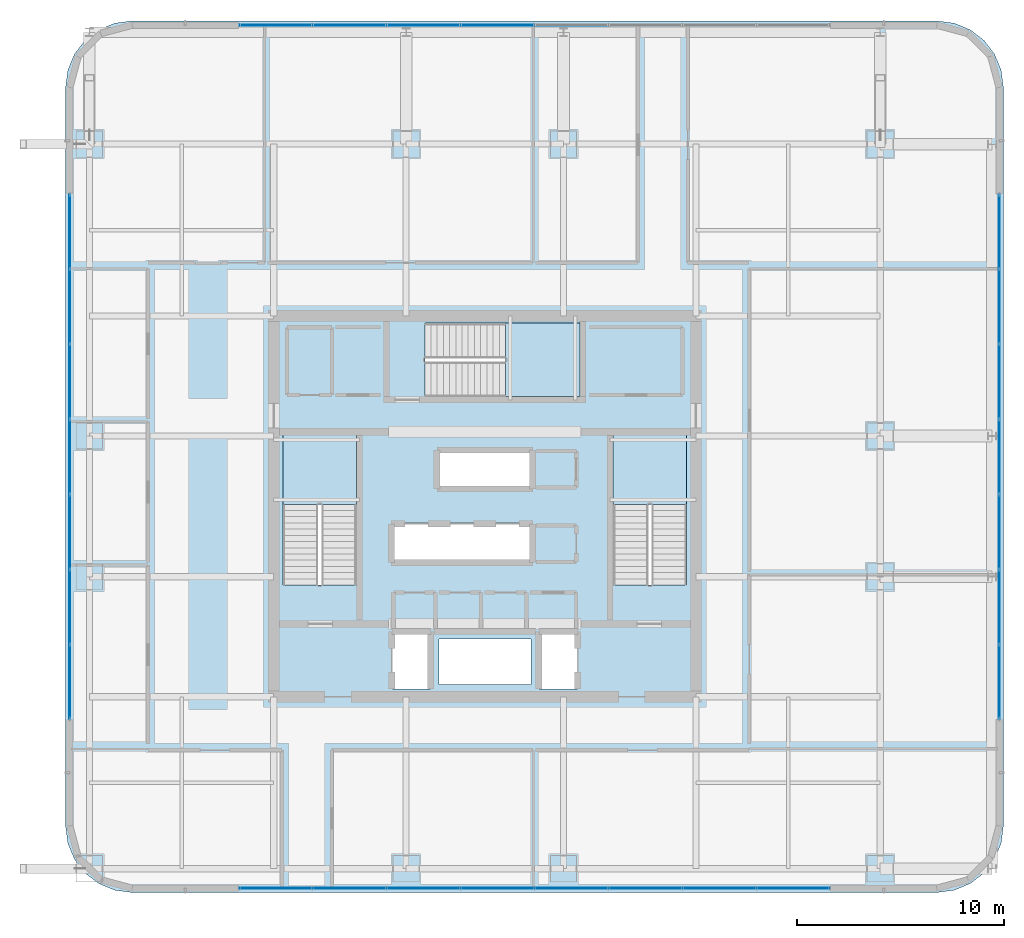
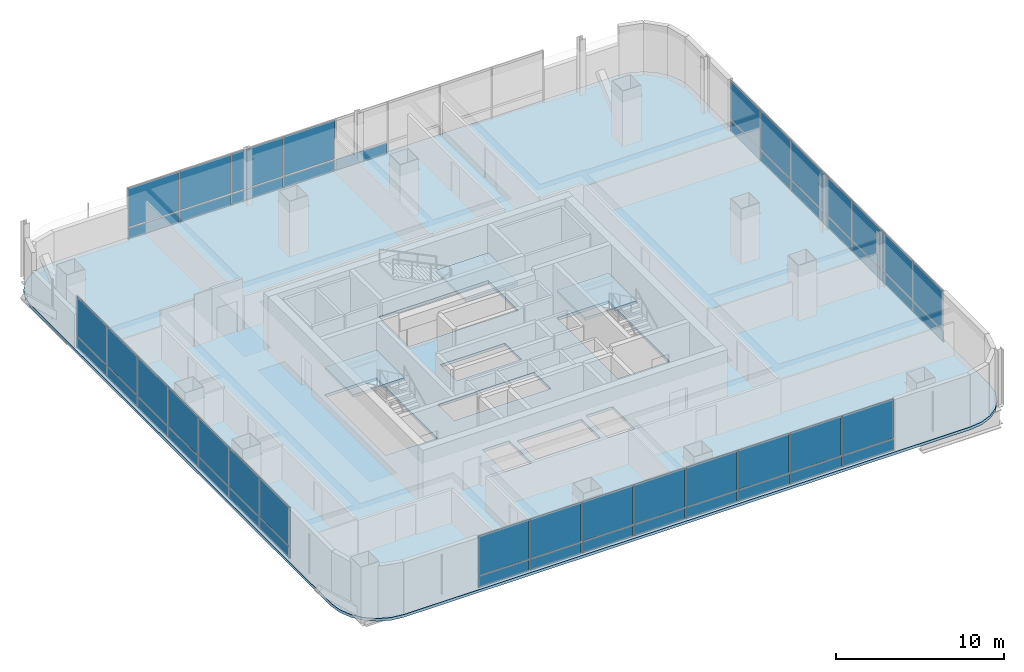
# One storey, part 32 of 51: 53 plates, 4 slabs, 7 elements without a shape of their own.
"""IFC4 building model written with IfcOpenShell, lengths in metres."""

from ifc_helpers import new_model, si_unit, direction, frame, origin, origin_2d, place, context, subcontext, project, spatial, polyline, rectangle, outline, extrude, material, layer, layer_set, type_object, element, aggregate, save


model = new_model("IFC4")

# Units and contexts
model_context = context("Model", 3, precision=1e-05, world=origin(), true_north=direction((0.0, 1.0)))
body_context = subcontext(model_context, "Body", "Model", "MODEL_VIEW")
ifc_project = project(units=[si_unit("LENGTHUNIT", "METRE"), si_unit("AREAUNIT", "SQUARE_METRE"), si_unit("VOLUMEUNIT", "CUBIC_METRE"), si_unit("PLANEANGLEUNIT", "RADIAN"), si_unit("MASSUNIT", "GRAM", prefix="KILO")], contexts=[model_context])

# Site, building, storey
site_placement = place(None, origin())
site = spatial("IfcSite", under=ifc_project, at=site_placement, CompositionType="ELEMENT")
building_placement = place(site_placement, origin())
building = spatial("IfcBuilding", under=site, at=building_placement, Name="Punatoya Terracotta Tower", CompositionType="ELEMENT")
storey_placement = place(building_placement, frame((0.0, 0.0, 279.75)))
storey = spatial("IfcBuildingStorey", under=building, at=storey_placement, Name="L66", CompositionType="ELEMENT", Elevation=279.75)

# Curtain wall, plates
ifc_material_1 = material(Name="Aluminium 6063-T6 + Double Low-E Glass", Category="aluminium")
curtain_wall_type = type_object("IfcCurtainWallType", Name="CW-M3", PredefinedType="NOTDEFINED", material=ifc_material_1)
curtain_wall_1_placement = place(storey_placement, origin())
curtain_wall_1 = element("IfcCurtainWall", 1, at=curtain_wall_1_placement, inside=storey, type_object=curtain_wall_type, Name="L66 Curtain Wall CW-L66-S01-1", PredefinedType="NOTDEFINED")
ifc_material_2 = material(Name="Double Low-E Acoustic Vision Glass", Category="glass")
ifc_layer_1 = layer(ifc_material_2, 0.031982421875)
ifc_layer_set_1 = layer_set([ifc_layer_1], Name="Double Low-E Acoustic Vision Glass")
plate_type_1 = type_object("IfcPlateType", Name="PLT-GLZ-32", PredefinedType="CURTAIN_PANEL", material=ifc_layer_set_1)
plate_1_placement = place(storey_placement, frame((-10.112548828125, -18.449951171875, 0.89013671875), z_axis=(0.0, 0.0, 1.0), x_axis=(1.0, 0.0, 0.0)))
plate_1 = element("IfcPlate", 2, at=plate_1_placement, type_object=plate_type_1, Name="CW-L66-S01-1 Vision Glass Panel 1", PredefinedType="CURTAIN_PANEL", context=body_context, shape_type="SweptSolid", body=[
    extrude(rectangle(XDim=3.489990234375, YDim=0.031982421875, at=origin_2d()), origin(), (0.0, 0.0, 1.0), 2.840087890625),
])
plate_2_placement = place(storey_placement, frame((-6.53759765625, -18.449951171875, 0.89013671875), z_axis=(0.0, 0.0, 1.0), x_axis=(1.0, 0.0, 0.0)))
plate_2 = element("IfcPlate", 3, at=plate_2_placement, type_object=plate_type_1, Name="CW-L66-S01-1 Vision Glass Panel 2", PredefinedType="CURTAIN_PANEL", context=body_context, shape_type="SweptSolid", body=[
    extrude(rectangle(XDim=3.489990234375, YDim=0.031982421875, at=origin_2d()), origin(), (0.0, 0.0, 1.0), 2.840087890625),
])
plate_3_placement = place(storey_placement, frame((-2.96240234375, -18.449951171875, 0.89013671875), z_axis=(0.0, 0.0, 1.0), x_axis=(1.0, 0.0, 0.0)))
plate_3 = element("IfcPlate", 4, at=plate_3_placement, type_object=plate_type_1, Name="CW-L66-S01-1 Vision Glass Panel 3", PredefinedType="CURTAIN_PANEL", context=body_context, shape_type="SweptSolid", body=[
    extrude(rectangle(XDim=3.489990234375, YDim=0.031982421875, at=origin_2d()), origin(), (0.0, 0.0, 1.0), 2.840087890625),
])
plate_4_placement = place(storey_placement, frame((0.612548828125, -18.449951171875, 0.89013671875), z_axis=(0.0, 0.0, 1.0), x_axis=(1.0, 0.0, 0.0)))
plate_4 = element("IfcPlate", 5, at=plate_4_placement, type_object=plate_type_1, Name="CW-L66-S01-1 Vision Glass Panel 4", PredefinedType="CURTAIN_PANEL", context=body_context, shape_type="SweptSolid", body=[
    extrude(rectangle(XDim=3.489990234375, YDim=0.031982421875, at=origin_2d()), origin(), (0.0, 0.0, 1.0), 2.840087890625),
])
plate_5_placement = place(storey_placement, frame((4.1875, -18.449951171875, 0.89013671875), z_axis=(0.0, 0.0, 1.0), x_axis=(1.0, 0.0, 0.0)))
plate_5 = element("IfcPlate", 6, at=plate_5_placement, type_object=plate_type_1, Name="CW-L66-S01-1 Vision Glass Panel 5", PredefinedType="CURTAIN_PANEL", context=body_context, shape_type="SweptSolid", body=[
    extrude(rectangle(XDim=3.489990234375, YDim=0.031982421875, at=origin_2d()), origin(), (0.0, 0.0, 1.0), 2.840087890625),
])
plate_6_placement = place(storey_placement, frame((7.762451171875, -18.449951171875, 0.89013671875), z_axis=(0.0, 0.0, 1.0), x_axis=(1.0, 0.0, 0.0)))
plate_6 = element("IfcPlate", 7, at=plate_6_placement, type_object=plate_type_1, Name="CW-L66-S01-1 Vision Glass Panel 6", PredefinedType="CURTAIN_PANEL", context=body_context, shape_type="SweptSolid", body=[
    extrude(rectangle(XDim=3.489990234375, YDim=0.031982421875, at=origin_2d()), origin(), (0.0, 0.0, 1.0), 2.840087890625),
])
plate_7_placement = place(storey_placement, frame((11.33740234375, -18.449951171875, 0.89013671875), z_axis=(0.0, 0.0, 1.0), x_axis=(1.0, 0.0, 0.0)))
plate_7 = element("IfcPlate", 8, at=plate_7_placement, type_object=plate_type_1, Name="CW-L66-S01-1 Vision Glass Panel 7", PredefinedType="CURTAIN_PANEL", context=body_context, shape_type="SweptSolid", body=[
    extrude(rectangle(XDim=3.489990234375, YDim=0.031982421875, at=origin_2d()), origin(), (0.0, 0.0, 1.0), 2.840087890625),
])
plate_8_placement = place(storey_placement, frame((14.91259765625, -18.449951171875, 0.89013671875), z_axis=(0.0, 0.0, 1.0), x_axis=(1.0, 0.0, 0.0)))
plate_8 = element("IfcPlate", 9, at=plate_8_placement, type_object=plate_type_1, Name="CW-L66-S01-1 Vision Glass Panel 8", PredefinedType="CURTAIN_PANEL", context=body_context, shape_type="SweptSolid", body=[
    extrude(rectangle(XDim=3.489990234375, YDim=0.031982421875, at=origin_2d()), origin(), (0.0, 0.0, 1.0), 2.840087890625),
])

curtain_wall_2_placement = place(storey_placement, origin())
curtain_wall_2 = element("IfcCurtainWall", 10, at=curtain_wall_2_placement, inside=storey, type_object=curtain_wall_type, Name="L66 Curtain Wall CW-L66-E05-1", PredefinedType="NOTDEFINED")
plate_9_placement = place(storey_placement, frame((24.85009765625, -8.485595703125, 0.89013671875), z_axis=(0.0, 0.0, 1.0), x_axis=(0.0, 1.0, 0.0)))
plate_9 = element("IfcPlate", 11, at=plate_9_placement, type_object=plate_type_1, Name="CW-L66-E05-1 Vision Glass Panel 1", PredefinedType="CURTAIN_PANEL", context=body_context, shape_type="SweptSolid", body=[
    extrude(rectangle(XDim=3.543701171875, YDim=0.031982421875, at=origin_2d()), origin(), (0.0, 0.0, 1.0), 2.840087890625),
])
plate_10_placement = place(storey_placement, frame((24.85009765625, -4.857177734375, 0.89013671875), z_axis=(0.0, 0.0, 1.0), x_axis=(0.0, 1.0, 0.0)))
plate_10 = element("IfcPlate", 12, at=plate_10_placement, type_object=plate_type_1, Name="CW-L66-E05-1 Vision Glass Panel 2", PredefinedType="CURTAIN_PANEL", context=body_context, shape_type="SweptSolid", body=[
    extrude(rectangle(XDim=3.543701171875, YDim=0.031982421875, at=origin_2d()), origin(), (0.0, 0.0, 1.0), 2.840087890625),
])
plate_11_placement = place(storey_placement, frame((24.85009765625, -1.228515625, 0.89013671875), z_axis=(0.0, 0.0, 1.0), x_axis=(0.0, 1.0, 0.0)))
plate_11 = element("IfcPlate", 13, at=plate_11_placement, type_object=plate_type_1, Name="CW-L66-E05-1 Vision Glass Panel 3", PredefinedType="CURTAIN_PANEL", context=body_context, shape_type="SweptSolid", body=[
    extrude(rectangle(XDim=3.543701171875, YDim=0.031982421875, at=origin_2d()), origin(), (0.0, 0.0, 1.0), 2.840087890625),
])
plate_12_placement = place(storey_placement, frame((24.85009765625, 2.39990234375, 0.89013671875), z_axis=(0.0, 0.0, 1.0), x_axis=(0.0, 1.0, 0.0)))
plate_12 = element("IfcPlate", 14, at=plate_12_placement, type_object=plate_type_1, Name="CW-L66-E05-1 Vision Glass Panel 4", PredefinedType="CURTAIN_PANEL", context=body_context, shape_type="SweptSolid", body=[
    extrude(rectangle(XDim=3.543701171875, YDim=0.031982421875, at=origin_2d()), origin(), (0.0, 0.0, 1.0), 2.840087890625),
])
plate_13_placement = place(storey_placement, frame((24.85009765625, 6.028564453125, 0.89013671875), z_axis=(0.0, 0.0, 1.0), x_axis=(0.0, 1.0, 0.0)))
plate_13 = element("IfcPlate", 15, at=plate_13_placement, type_object=plate_type_1, Name="CW-L66-E05-1 Vision Glass Panel 5", PredefinedType="CURTAIN_PANEL", context=body_context, shape_type="SweptSolid", body=[
    extrude(rectangle(XDim=3.543701171875, YDim=0.031982421875, at=origin_2d()), origin(), (0.0, 0.0, 1.0), 2.840087890625),
])
plate_14_placement = place(storey_placement, frame((24.85009765625, 9.656982421875, 0.89013671875), z_axis=(0.0, 0.0, 1.0), x_axis=(0.0, 1.0, 0.0)))
plate_14 = element("IfcPlate", 16, at=plate_14_placement, type_object=plate_type_1, Name="CW-L66-E05-1 Vision Glass Panel 6", PredefinedType="CURTAIN_PANEL", context=body_context, shape_type="SweptSolid", body=[
    extrude(rectangle(XDim=3.543701171875, YDim=0.031982421875, at=origin_2d()), origin(), (0.0, 0.0, 1.0), 2.840087890625),
])
plate_15_placement = place(storey_placement, frame((24.85009765625, 13.28564453125, 0.89013671875), z_axis=(0.0, 0.0, 1.0), x_axis=(0.0, 1.0, 0.0)))
plate_15 = element("IfcPlate", 17, at=plate_15_placement, type_object=plate_type_1, Name="CW-L66-E05-1 Vision Glass Panel 7", PredefinedType="CURTAIN_PANEL", context=body_context, shape_type="SweptSolid", body=[
    extrude(rectangle(XDim=3.543701171875, YDim=0.031982421875, at=origin_2d()), origin(), (0.0, 0.0, 1.0), 2.840087890625),
])

curtain_wall_3_placement = place(storey_placement, origin())
curtain_wall_3 = element("IfcCurtainWall", 18, at=curtain_wall_3_placement, inside=storey, type_object=curtain_wall_type, Name="L66 Curtain Wall CW-L66-N09-1", PredefinedType="NOTDEFINED")
plate_16_placement = place(storey_placement, frame((0.612548828125, 23.25, 0.89013671875), z_axis=(0.0, 0.0, 1.0), x_axis=(-1.0, 0.0, 0.0)))
plate_16 = element("IfcPlate", 19, at=plate_16_placement, type_object=plate_type_1, Name="CW-L66-N09-1 Vision Glass Panel 5", PredefinedType="CURTAIN_PANEL", context=body_context, shape_type="SweptSolid", body=[
    extrude(rectangle(XDim=3.489990234375, YDim=0.031982421875, at=origin_2d()), origin(), (0.0, 0.0, 1.0), 2.840087890625),
])
plate_17_placement = place(storey_placement, frame((-2.96240234375, 23.25, 0.89013671875), z_axis=(0.0, 0.0, 1.0), x_axis=(-1.0, 0.0, 0.0)))
plate_17 = element("IfcPlate", 20, at=plate_17_placement, type_object=plate_type_1, Name="CW-L66-N09-1 Vision Glass Panel 6", PredefinedType="CURTAIN_PANEL", context=body_context, shape_type="SweptSolid", body=[
    extrude(rectangle(XDim=3.489990234375, YDim=0.031982421875, at=origin_2d()), origin(), (0.0, 0.0, 1.0), 2.840087890625),
])
plate_18_placement = place(storey_placement, frame((-6.53759765625, 23.25, 0.89013671875), z_axis=(0.0, 0.0, 1.0), x_axis=(-1.0, 0.0, 0.0)))
plate_18 = element("IfcPlate", 21, at=plate_18_placement, type_object=plate_type_1, Name="CW-L66-N09-1 Vision Glass Panel 7", PredefinedType="CURTAIN_PANEL", context=body_context, shape_type="SweptSolid", body=[
    extrude(rectangle(XDim=3.489990234375, YDim=0.031982421875, at=origin_2d()), origin(), (0.0, 0.0, 1.0), 2.840087890625),
])
plate_19_placement = place(storey_placement, frame((-10.112548828125, 23.25, 0.89013671875), z_axis=(0.0, 0.0, 1.0), x_axis=(-1.0, 0.0, 0.0)))
plate_19 = element("IfcPlate", 22, at=plate_19_placement, type_object=plate_type_1, Name="CW-L66-N09-1 Vision Glass Panel 8", PredefinedType="CURTAIN_PANEL", context=body_context, shape_type="SweptSolid", body=[
    extrude(rectangle(XDim=3.489990234375, YDim=0.031982421875, at=origin_2d()), origin(), (0.0, 0.0, 1.0), 2.840087890625),
])

curtain_wall_4_placement = place(storey_placement, origin())
curtain_wall_4 = element("IfcCurtainWall", 23, at=curtain_wall_4_placement, inside=storey, type_object=curtain_wall_type, Name="L66 Curtain Wall CW-L66-W13-1", PredefinedType="NOTDEFINED")
plate_20_placement = place(storey_placement, frame((-20.050048828125, 13.28564453125, 0.89013671875), z_axis=(0.0, 0.0, 1.0), x_axis=(0.0, -1.0, 0.0)))
plate_20 = element("IfcPlate", 24, at=plate_20_placement, type_object=plate_type_1, Name="CW-L66-W13-1 Vision Glass Panel 1", PredefinedType="CURTAIN_PANEL", context=body_context, shape_type="SweptSolid", body=[
    extrude(rectangle(XDim=3.543701171875, YDim=0.031982421875, at=origin_2d()), origin(), (0.0, 0.0, 1.0), 2.840087890625),
])
plate_21_placement = place(storey_placement, frame((-20.050048828125, 9.656982421875, 0.89013671875), z_axis=(0.0, 0.0, 1.0), x_axis=(0.0, -1.0, 0.0)))
plate_21 = element("IfcPlate", 25, at=plate_21_placement, type_object=plate_type_1, Name="CW-L66-W13-1 Vision Glass Panel 2", PredefinedType="CURTAIN_PANEL", context=body_context, shape_type="SweptSolid", body=[
    extrude(rectangle(XDim=3.543701171875, YDim=0.031982421875, at=origin_2d()), origin(), (0.0, 0.0, 1.0), 2.840087890625),
])
plate_22_placement = place(storey_placement, frame((-20.050048828125, 6.028564453125, 0.89013671875), z_axis=(0.0, 0.0, 1.0), x_axis=(0.0, -1.0, 0.0)))
plate_22 = element("IfcPlate", 26, at=plate_22_placement, type_object=plate_type_1, Name="CW-L66-W13-1 Vision Glass Panel 3", PredefinedType="CURTAIN_PANEL", context=body_context, shape_type="SweptSolid", body=[
    extrude(rectangle(XDim=3.543701171875, YDim=0.031982421875, at=origin_2d()), origin(), (0.0, 0.0, 1.0), 2.840087890625),
])
plate_23_placement = place(storey_placement, frame((-20.050048828125, 2.39990234375, 0.89013671875), z_axis=(0.0, 0.0, 1.0), x_axis=(0.0, -1.0, 0.0)))
plate_23 = element("IfcPlate", 27, at=plate_23_placement, type_object=plate_type_1, Name="CW-L66-W13-1 Vision Glass Panel 4", PredefinedType="CURTAIN_PANEL", context=body_context, shape_type="SweptSolid", body=[
    extrude(rectangle(XDim=3.543701171875, YDim=0.031982421875, at=origin_2d()), origin(), (0.0, 0.0, 1.0), 2.840087890625),
])
plate_24_placement = place(storey_placement, frame((-20.050048828125, -1.228515625, 0.89013671875), z_axis=(0.0, 0.0, 1.0), x_axis=(0.0, -1.0, 0.0)))
plate_24 = element("IfcPlate", 28, at=plate_24_placement, type_object=plate_type_1, Name="CW-L66-W13-1 Vision Glass Panel 5", PredefinedType="CURTAIN_PANEL", context=body_context, shape_type="SweptSolid", body=[
    extrude(rectangle(XDim=3.543701171875, YDim=0.031982421875, at=origin_2d()), origin(), (0.0, 0.0, 1.0), 2.840087890625),
])
plate_25_placement = place(storey_placement, frame((-20.050048828125, -4.857177734375, 0.89013671875), z_axis=(0.0, 0.0, 1.0), x_axis=(0.0, -1.0, 0.0)))
plate_25 = element("IfcPlate", 29, at=plate_25_placement, type_object=plate_type_1, Name="CW-L66-W13-1 Vision Glass Panel 6", PredefinedType="CURTAIN_PANEL", context=body_context, shape_type="SweptSolid", body=[
    extrude(rectangle(XDim=3.543701171875, YDim=0.031982421875, at=origin_2d()), origin(), (0.0, 0.0, 1.0), 2.840087890625),
])
plate_26_placement = place(storey_placement, frame((-20.050048828125, -8.485595703125, 0.89013671875), z_axis=(0.0, 0.0, 1.0), x_axis=(0.0, -1.0, 0.0)))
plate_26 = element("IfcPlate", 30, at=plate_26_placement, type_object=plate_type_1, Name="CW-L66-W13-1 Vision Glass Panel 7", PredefinedType="CURTAIN_PANEL", context=body_context, shape_type="SweptSolid", body=[
    extrude(rectangle(XDim=3.543701171875, YDim=0.031982421875, at=origin_2d()), origin(), (0.0, 0.0, 1.0), 2.840087890625),
])

# Plate
ifc_material_3 = material(Name="Insulated Terracotta-Backed Spandrel Panel", Category="masonry")
ifc_layer_2 = layer(ifc_material_3, 0.044921875)
ifc_layer_set_2 = layer_set([ifc_layer_2], Name="Insulated Terracotta-Backed Spandrel Panel")
plate_type_2 = type_object("IfcPlateType", Name="PLT-SPN-45", PredefinedType="CURTAIN_PANEL", material=ifc_layer_set_2)
plate_27_placement = place(storey_placement, frame((-10.112548828125, -18.449951171875, 0.0400390625), z_axis=(0.0, 0.0, 1.0), x_axis=(1.0, 0.0, 0.0)))
plate_27 = element("IfcPlate", 31, at=plate_27_placement, type_object=plate_type_2, Name="CW-L66-S01-1 Terracotta Spandrel Panel 1", PredefinedType="CURTAIN_PANEL", context=body_context, shape_type="SweptSolid", body=[
    extrude(rectangle(XDim=3.489990234375, YDim=0.044921875, at=origin_2d()), origin(), (0.0, 0.0, 1.0), 0.77490234375),
])

plate_28_placement = place(storey_placement, frame((-6.53759765625, -18.449951171875, 0.0400390625), z_axis=(0.0, 0.0, 1.0), x_axis=(1.0, 0.0, 0.0)))
plate_28 = element("IfcPlate", 32, at=plate_28_placement, type_object=plate_type_2, Name="CW-L66-S01-1 Terracotta Spandrel Panel 2", PredefinedType="CURTAIN_PANEL", context=body_context, shape_type="SweptSolid", body=[
    extrude(rectangle(XDim=3.489990234375, YDim=0.044921875, at=origin_2d()), origin(), (0.0, 0.0, 1.0), 0.77490234375),
])

plate_29_placement = place(storey_placement, frame((-2.96240234375, -18.449951171875, 0.0400390625), z_axis=(0.0, 0.0, 1.0), x_axis=(1.0, 0.0, 0.0)))
plate_29 = element("IfcPlate", 33, at=plate_29_placement, type_object=plate_type_2, Name="CW-L66-S01-1 Terracotta Spandrel Panel 3", PredefinedType="CURTAIN_PANEL", context=body_context, shape_type="SweptSolid", body=[
    extrude(rectangle(XDim=3.489990234375, YDim=0.044921875, at=origin_2d()), origin(), (0.0, 0.0, 1.0), 0.77490234375),
])

plate_30_placement = place(storey_placement, frame((0.612548828125, -18.449951171875, 0.0400390625), z_axis=(0.0, 0.0, 1.0), x_axis=(1.0, 0.0, 0.0)))
plate_30 = element("IfcPlate", 34, at=plate_30_placement, type_object=plate_type_2, Name="CW-L66-S01-1 Terracotta Spandrel Panel 4", PredefinedType="CURTAIN_PANEL", context=body_context, shape_type="SweptSolid", body=[
    extrude(rectangle(XDim=3.489990234375, YDim=0.044921875, at=origin_2d()), origin(), (0.0, 0.0, 1.0), 0.77490234375),
])

plate_31_placement = place(storey_placement, frame((4.1875, -18.449951171875, 0.0400390625), z_axis=(0.0, 0.0, 1.0), x_axis=(1.0, 0.0, 0.0)))
plate_31 = element("IfcPlate", 35, at=plate_31_placement, type_object=plate_type_2, Name="CW-L66-S01-1 Terracotta Spandrel Panel 5", PredefinedType="CURTAIN_PANEL", context=body_context, shape_type="SweptSolid", body=[
    extrude(rectangle(XDim=3.489990234375, YDim=0.044921875, at=origin_2d()), origin(), (0.0, 0.0, 1.0), 0.77490234375),
])

plate_32_placement = place(storey_placement, frame((7.762451171875, -18.449951171875, 0.0400390625), z_axis=(0.0, 0.0, 1.0), x_axis=(1.0, 0.0, 0.0)))
plate_32 = element("IfcPlate", 36, at=plate_32_placement, type_object=plate_type_2, Name="CW-L66-S01-1 Terracotta Spandrel Panel 6", PredefinedType="CURTAIN_PANEL", context=body_context, shape_type="SweptSolid", body=[
    extrude(rectangle(XDim=3.489990234375, YDim=0.044921875, at=origin_2d()), origin(), (0.0, 0.0, 1.0), 0.77490234375),
])

plate_33_placement = place(storey_placement, frame((11.33740234375, -18.449951171875, 0.0400390625), z_axis=(0.0, 0.0, 1.0), x_axis=(1.0, 0.0, 0.0)))
plate_33 = element("IfcPlate", 37, at=plate_33_placement, type_object=plate_type_2, Name="CW-L66-S01-1 Terracotta Spandrel Panel 7", PredefinedType="CURTAIN_PANEL", context=body_context, shape_type="SweptSolid", body=[
    extrude(rectangle(XDim=3.489990234375, YDim=0.044921875, at=origin_2d()), origin(), (0.0, 0.0, 1.0), 0.77490234375),
])

plate_34_placement = place(storey_placement, frame((14.91259765625, -18.449951171875, 0.0400390625), z_axis=(0.0, 0.0, 1.0), x_axis=(1.0, 0.0, 0.0)))
plate_34 = element("IfcPlate", 38, at=plate_34_placement, type_object=plate_type_2, Name="CW-L66-S01-1 Terracotta Spandrel Panel 8", PredefinedType="CURTAIN_PANEL", context=body_context, shape_type="SweptSolid", body=[
    extrude(rectangle(XDim=3.489990234375, YDim=0.044921875, at=origin_2d()), origin(), (0.0, 0.0, 1.0), 0.77490234375),
])

aggregate(curtain_wall_1, [plate_27, plate_1, plate_28, plate_2, plate_29, plate_3, plate_30, plate_4, plate_31, plate_5, plate_32, plate_6, plate_33, plate_7, plate_34, plate_8])

plate_35_placement = place(storey_placement, frame((24.85009765625, -8.485595703125, 0.0400390625), z_axis=(0.0, 0.0, 1.0), x_axis=(0.0, 1.0, 0.0)))
plate_35 = element("IfcPlate", 39, at=plate_35_placement, type_object=plate_type_2, Name="CW-L66-E05-1 Terracotta Spandrel Panel 1", PredefinedType="CURTAIN_PANEL", context=body_context, shape_type="SweptSolid", body=[
    extrude(rectangle(XDim=3.543701171875, YDim=0.044921875, at=origin_2d()), origin(), (0.0, 0.0, 1.0), 0.77490234375),
])

plate_36_placement = place(storey_placement, frame((24.85009765625, -4.857177734375, 0.0400390625), z_axis=(0.0, 0.0, 1.0), x_axis=(0.0, 1.0, 0.0)))
plate_36 = element("IfcPlate", 40, at=plate_36_placement, type_object=plate_type_2, Name="CW-L66-E05-1 Terracotta Spandrel Panel 2", PredefinedType="CURTAIN_PANEL", context=body_context, shape_type="SweptSolid", body=[
    extrude(rectangle(XDim=3.543701171875, YDim=0.044921875, at=origin_2d()), origin(), (0.0, 0.0, 1.0), 0.77490234375),
])

plate_37_placement = place(storey_placement, frame((24.85009765625, -1.228515625, 0.0400390625), z_axis=(0.0, 0.0, 1.0), x_axis=(0.0, 1.0, 0.0)))
plate_37 = element("IfcPlate", 41, at=plate_37_placement, type_object=plate_type_2, Name="CW-L66-E05-1 Terracotta Spandrel Panel 3", PredefinedType="CURTAIN_PANEL", context=body_context, shape_type="SweptSolid", body=[
    extrude(rectangle(XDim=3.543701171875, YDim=0.044921875, at=origin_2d()), origin(), (0.0, 0.0, 1.0), 0.77490234375),
])

plate_38_placement = place(storey_placement, frame((24.85009765625, 2.39990234375, 0.0400390625), z_axis=(0.0, 0.0, 1.0), x_axis=(0.0, 1.0, 0.0)))
plate_38 = element("IfcPlate", 42, at=plate_38_placement, type_object=plate_type_2, Name="CW-L66-E05-1 Terracotta Spandrel Panel 4", PredefinedType="CURTAIN_PANEL", context=body_context, shape_type="SweptSolid", body=[
    extrude(rectangle(XDim=3.543701171875, YDim=0.044921875, at=origin_2d()), origin(), (0.0, 0.0, 1.0), 0.77490234375),
])

plate_39_placement = place(storey_placement, frame((24.85009765625, 6.028564453125, 0.0400390625), z_axis=(0.0, 0.0, 1.0), x_axis=(0.0, 1.0, 0.0)))
plate_39 = element("IfcPlate", 43, at=plate_39_placement, type_object=plate_type_2, Name="CW-L66-E05-1 Terracotta Spandrel Panel 5", PredefinedType="CURTAIN_PANEL", context=body_context, shape_type="SweptSolid", body=[
    extrude(rectangle(XDim=3.543701171875, YDim=0.044921875, at=origin_2d()), origin(), (0.0, 0.0, 1.0), 0.77490234375),
])

plate_40_placement = place(storey_placement, frame((24.85009765625, 9.656982421875, 0.0400390625), z_axis=(0.0, 0.0, 1.0), x_axis=(0.0, 1.0, 0.0)))
plate_40 = element("IfcPlate", 44, at=plate_40_placement, type_object=plate_type_2, Name="CW-L66-E05-1 Terracotta Spandrel Panel 6", PredefinedType="CURTAIN_PANEL", context=body_context, shape_type="SweptSolid", body=[
    extrude(rectangle(XDim=3.543701171875, YDim=0.044921875, at=origin_2d()), origin(), (0.0, 0.0, 1.0), 0.77490234375),
])

plate_41_placement = place(storey_placement, frame((24.85009765625, 13.28564453125, 0.0400390625), z_axis=(0.0, 0.0, 1.0), x_axis=(0.0, 1.0, 0.0)))
plate_41 = element("IfcPlate", 45, at=plate_41_placement, type_object=plate_type_2, Name="CW-L66-E05-1 Terracotta Spandrel Panel 7", PredefinedType="CURTAIN_PANEL", context=body_context, shape_type="SweptSolid", body=[
    extrude(rectangle(XDim=3.543701171875, YDim=0.044921875, at=origin_2d()), origin(), (0.0, 0.0, 1.0), 0.77490234375),
])

aggregate(curtain_wall_2, [plate_35, plate_9, plate_36, plate_10, plate_37, plate_11, plate_38, plate_12, plate_39, plate_13, plate_40, plate_14, plate_41, plate_15])

plate_42_placement = place(storey_placement, frame((4.1875, 23.25, 0.0400390625), z_axis=(0.0, 0.0, 1.0), x_axis=(-1.0, 0.0, 0.0)))
plate_42 = element("IfcPlate", 46, at=plate_42_placement, type_object=plate_type_2, Name="CW-L66-N09-1 Terracotta Spandrel Panel 4", PredefinedType="CURTAIN_PANEL", context=body_context, shape_type="SweptSolid", body=[
    extrude(rectangle(XDim=3.489990234375, YDim=0.044921875, at=origin_2d()), origin(), (0.0, 0.0, 1.0), 0.77490234375),
])

plate_43_placement = place(storey_placement, frame((0.612548828125, 23.25, 0.0400390625), z_axis=(0.0, 0.0, 1.0), x_axis=(-1.0, 0.0, 0.0)))
plate_43 = element("IfcPlate", 47, at=plate_43_placement, type_object=plate_type_2, Name="CW-L66-N09-1 Terracotta Spandrel Panel 5", PredefinedType="CURTAIN_PANEL", context=body_context, shape_type="SweptSolid", body=[
    extrude(rectangle(XDim=3.489990234375, YDim=0.044921875, at=origin_2d()), origin(), (0.0, 0.0, 1.0), 0.77490234375),
])

plate_44_placement = place(storey_placement, frame((-2.96240234375, 23.25, 0.0400390625), z_axis=(0.0, 0.0, 1.0), x_axis=(-1.0, 0.0, 0.0)))
plate_44 = element("IfcPlate", 48, at=plate_44_placement, type_object=plate_type_2, Name="CW-L66-N09-1 Terracotta Spandrel Panel 6", PredefinedType="CURTAIN_PANEL", context=body_context, shape_type="SweptSolid", body=[
    extrude(rectangle(XDim=3.489990234375, YDim=0.044921875, at=origin_2d()), origin(), (0.0, 0.0, 1.0), 0.77490234375),
])

plate_45_placement = place(storey_placement, frame((-6.53759765625, 23.25, 0.0400390625), z_axis=(0.0, 0.0, 1.0), x_axis=(-1.0, 0.0, 0.0)))
plate_45 = element("IfcPlate", 49, at=plate_45_placement, type_object=plate_type_2, Name="CW-L66-N09-1 Terracotta Spandrel Panel 7", PredefinedType="CURTAIN_PANEL", context=body_context, shape_type="SweptSolid", body=[
    extrude(rectangle(XDim=3.489990234375, YDim=0.044921875, at=origin_2d()), origin(), (0.0, 0.0, 1.0), 0.77490234375),
])

plate_46_placement = place(storey_placement, frame((-10.112548828125, 23.25, 0.0400390625), z_axis=(0.0, 0.0, 1.0), x_axis=(-1.0, 0.0, 0.0)))
plate_46 = element("IfcPlate", 50, at=plate_46_placement, type_object=plate_type_2, Name="CW-L66-N09-1 Terracotta Spandrel Panel 8", PredefinedType="CURTAIN_PANEL", context=body_context, shape_type="SweptSolid", body=[
    extrude(rectangle(XDim=3.489990234375, YDim=0.044921875, at=origin_2d()), origin(), (0.0, 0.0, 1.0), 0.77490234375),
])

aggregate(curtain_wall_3, [plate_42, plate_43, plate_16, plate_44, plate_17, plate_45, plate_18, plate_46, plate_19])

plate_47_placement = place(storey_placement, frame((-20.050048828125, 13.28564453125, 0.0400390625), z_axis=(0.0, 0.0, 1.0), x_axis=(0.0, -1.0, 0.0)))
plate_47 = element("IfcPlate", 51, at=plate_47_placement, type_object=plate_type_2, Name="CW-L66-W13-1 Terracotta Spandrel Panel 1", PredefinedType="CURTAIN_PANEL", context=body_context, shape_type="SweptSolid", body=[
    extrude(rectangle(XDim=3.543701171875, YDim=0.044921875, at=origin_2d()), origin(), (0.0, 0.0, 1.0), 0.77490234375),
])

plate_48_placement = place(storey_placement, frame((-20.050048828125, 9.656982421875, 0.0400390625), z_axis=(0.0, 0.0, 1.0), x_axis=(0.0, -1.0, 0.0)))
plate_48 = element("IfcPlate", 52, at=plate_48_placement, type_object=plate_type_2, Name="CW-L66-W13-1 Terracotta Spandrel Panel 2", PredefinedType="CURTAIN_PANEL", context=body_context, shape_type="SweptSolid", body=[
    extrude(rectangle(XDim=3.543701171875, YDim=0.044921875, at=origin_2d()), origin(), (0.0, 0.0, 1.0), 0.77490234375),
])

plate_49_placement = place(storey_placement, frame((-20.050048828125, 6.028564453125, 0.0400390625), z_axis=(0.0, 0.0, 1.0), x_axis=(0.0, -1.0, 0.0)))
plate_49 = element("IfcPlate", 53, at=plate_49_placement, type_object=plate_type_2, Name="CW-L66-W13-1 Terracotta Spandrel Panel 3", PredefinedType="CURTAIN_PANEL", context=body_context, shape_type="SweptSolid", body=[
    extrude(rectangle(XDim=3.543701171875, YDim=0.044921875, at=origin_2d()), origin(), (0.0, 0.0, 1.0), 0.77490234375),
])

plate_50_placement = place(storey_placement, frame((-20.050048828125, 2.39990234375, 0.0400390625), z_axis=(0.0, 0.0, 1.0), x_axis=(0.0, -1.0, 0.0)))
plate_50 = element("IfcPlate", 54, at=plate_50_placement, type_object=plate_type_2, Name="CW-L66-W13-1 Terracotta Spandrel Panel 4", PredefinedType="CURTAIN_PANEL", context=body_context, shape_type="SweptSolid", body=[
    extrude(rectangle(XDim=3.543701171875, YDim=0.044921875, at=origin_2d()), origin(), (0.0, 0.0, 1.0), 0.77490234375),
])

plate_51_placement = place(storey_placement, frame((-20.050048828125, -1.228515625, 0.0400390625), z_axis=(0.0, 0.0, 1.0), x_axis=(0.0, -1.0, 0.0)))
plate_51 = element("IfcPlate", 55, at=plate_51_placement, type_object=plate_type_2, Name="CW-L66-W13-1 Terracotta Spandrel Panel 5", PredefinedType="CURTAIN_PANEL", context=body_context, shape_type="SweptSolid", body=[
    extrude(rectangle(XDim=3.543701171875, YDim=0.044921875, at=origin_2d()), origin(), (0.0, 0.0, 1.0), 0.77490234375),
])

plate_52_placement = place(storey_placement, frame((-20.050048828125, -4.857177734375, 0.0400390625), z_axis=(0.0, 0.0, 1.0), x_axis=(0.0, -1.0, 0.0)))
plate_52 = element("IfcPlate", 56, at=plate_52_placement, type_object=plate_type_2, Name="CW-L66-W13-1 Terracotta Spandrel Panel 6", PredefinedType="CURTAIN_PANEL", context=body_context, shape_type="SweptSolid", body=[
    extrude(rectangle(XDim=3.543701171875, YDim=0.044921875, at=origin_2d()), origin(), (0.0, 0.0, 1.0), 0.77490234375),
])

plate_53_placement = place(storey_placement, frame((-20.050048828125, -8.485595703125, 0.0400390625), z_axis=(0.0, 0.0, 1.0), x_axis=(0.0, -1.0, 0.0)))
plate_53 = element("IfcPlate", 57, at=plate_53_placement, type_object=plate_type_2, Name="CW-L66-W13-1 Terracotta Spandrel Panel 7", PredefinedType="CURTAIN_PANEL", context=body_context, shape_type="SweptSolid", body=[
    extrude(rectangle(XDim=3.543701171875, YDim=0.044921875, at=origin_2d()), origin(), (0.0, 0.0, 1.0), 0.77490234375),
])

aggregate(curtain_wall_4, [plate_47, plate_20, plate_48, plate_21, plate_49, plate_22, plate_50, plate_23, plate_51, plate_24, plate_52, plate_25, plate_53, plate_26])

# Stair, slab
ifc_material_4 = material(Name="Concrete C40/50", Category="concrete")
stair_type_1 = type_object("IfcStairType", Name="STR-TER-1450", PredefinedType="HALF_TURN_STAIR", material=ifc_material_4)
stair_1_placement = place(storey_placement, origin())
stair_1 = element("IfcStair", 58, at=stair_1_placement, inside=storey, type_object=stair_type_1, Name="L66 Protected Core Exit Stair ST-3", PredefinedType="HALF_TURN_STAIR")
ifc_layer_3 = layer(ifc_material_4, 0.1650390625)
ifc_layer_set_3 = layer_set([ifc_layer_3], Name="Concrete C40/50")
slab_type_1 = type_object("IfcSlabType", Name="SLB-LND-165", PredefinedType="LANDING", material=ifc_layer_set_3)
slab_1_placement = place(storey_placement, frame((0.0, 0.0, 1.824951171875)))
slab_1 = element("IfcSlab", 59, at=slab_1_placement, type_object=slab_type_1, Name="ST-3 landing 1", PredefinedType="LANDING", context=body_context, shape_type="SweptSolid", body=[
    extrude(outline(polyline([(1.0, 5.300048828125), (4.60009765625, 5.300048828125), (4.60009765625, 8.85009765625), (1.0, 8.85009765625), (1.0, 5.300048828125)])), origin(), (0.0, 0.0, 1.0), 0.199951171875),
])
aggregate(stair_1, [slab_1])

stair_type_2 = type_object("IfcStairType", Name="STR-CORE-1550", PredefinedType="HALF_TURN_STAIR", material=ifc_material_4)
stair_2_placement = place(storey_placement, origin())
stair_2 = element("IfcStair", 60, at=stair_2_placement, inside=storey, type_object=stair_type_2, Name="L66 Protected Core Exit Stair ST-1", PredefinedType="HALF_TURN_STAIR")
ifc_layer_4 = layer(ifc_material_4, 0.179931640625)
ifc_layer_set_4 = layer_set([ifc_layer_4], Name="Concrete C40/50")
slab_type_2 = type_object("IfcSlabType", Name="SLB-LND-180", PredefinedType="LANDING", material=ifc_layer_set_4)
slab_2_placement = place(storey_placement, frame((0.0, 0.0, 1.824951171875)))
slab_2 = element("IfcSlab", 61, at=slab_2_placement, type_object=slab_type_2, Name="ST-1 landing 1", PredefinedType="LANDING", context=body_context, shape_type="SweptSolid", body=[
    extrude(outline(polyline([(-6.199951171875, 0.10009765625), (-6.199951171875, 3.449951171875), (-9.75, 3.449951171875), (-9.75, 0.10009765625), (-6.199951171875, 0.10009765625)])), origin(), (0.0, 0.0, 1.0), 0.199951171875),
])
aggregate(stair_2, [slab_2])

stair_type_3 = type_object("IfcStairType", Name="STR-LOB-1650", PredefinedType="HALF_TURN_STAIR", material=ifc_material_4)
stair_3_placement = place(storey_placement, origin())
stair_3 = element("IfcStair", 62, at=stair_3_placement, inside=storey, type_object=stair_type_3, Name="L66 Protected Core Exit Stair ST-2", PredefinedType="HALF_TURN_STAIR")
slab_3_placement = place(storey_placement, frame((0.0, 0.0, 1.824951171875)))
slab_3 = element("IfcSlab", 63, at=slab_3_placement, type_object=slab_type_2, Name="ST-2 landing 1", PredefinedType="LANDING", context=body_context, shape_type="SweptSolid", body=[
    extrude(outline(polyline([(9.75, 0.10009765625), (9.75, 3.449951171875), (6.199951171875, 3.449951171875), (6.199951171875, 0.10009765625), (9.75, 0.10009765625)])), origin(), (0.0, 0.0, 1.0), 0.199951171875),
])
aggregate(stair_3, [slab_3])

# Slab
ifc_layer_5 = layer(ifc_material_4, 0.199951171875)
ifc_layer_set_5 = layer_set([ifc_layer_5], Name="Concrete C40/50")
slab_type_3 = type_object("IfcSlabType", Name="SLB-OFF-200", PredefinedType="FLOOR", material=ifc_layer_set_5)
slab_4_placement = place(storey_placement, frame((0.0, 0.0, -0.199951171875)))
element("IfcSlab", 64, at=slab_4_placement, inside=storey, type_object=slab_type_3, Name="L66 Structural Floor Slab", PredefinedType="FLOOR", context=body_context, shape_type="SweptSolid", body=[
    extrude(outline(polyline([(-17.050048828125, -18.64990234375), (-17.878173828125, -18.541015625), (-18.64990234375, -18.22119140625), (-19.312744140625, -17.712646484375), (-19.8212890625, -17.050048828125), (-20.14111328125, -16.2783203125), (-20.25, -15.449951171875), (-20.25, 20.25), (-20.14111328125, 21.078125), (-19.8212890625, 21.85009765625), (-19.312744140625, 22.5126953125), (-18.64990234375, 23.021240234375), (-17.878173828125, 23.341064453125), (-17.050048828125, 23.449951171875), (21.85009765625, 23.449951171875), (22.67822265625, 23.341064453125), (23.449951171875, 23.021240234375), (24.11279296875, 22.5126953125), (24.621337890625, 21.85009765625), (24.94091796875, 21.078125), (25.050048828125, 20.25), (25.050048828125, -15.449951171875), (24.94091796875, -16.2783203125), (24.621337890625, -17.050048828125), (24.11279296875, -17.712646484375), (23.449951171875, -18.22119140625), (22.67822265625, -18.541015625), (21.85009765625, -18.64990234375), (-17.050048828125, -18.64990234375)]), holes=[polyline([(-2.6298828125, -6.179931640625), (-4.469970703125, -6.179931640625), (-4.469970703125, -8.820068359375), (-2.6298828125, -8.820068359375), (-2.6298828125, -6.179931640625)]), polyline([(0.02001953125, -8.594970703125), (2.219970703125, -8.594970703125), (2.219970703125, -6.405029296875), (0.02001953125, -6.405029296875), (-0.02001953125, -6.405029296875), (-2.219970703125, -6.405029296875), (-2.219970703125, -8.594970703125), (-0.02001953125, -8.594970703125), (0.02001953125, -8.594970703125)]), polyline([(-2.219970703125, -2.719970703125), (-2.179931640625, -2.719970703125), (-0.02001953125, -2.719970703125), (0.02001953125, -2.719970703125), (2.219970703125, -2.719970703125), (2.219970703125, -0.780029296875), (0.02001953125, -0.780029296875), (-0.02001953125, -0.780029296875), (-2.179931640625, -0.780029296875), (-2.219970703125, -0.780029296875), (-4.419921875, -0.780029296875), (-4.419921875, -2.719970703125), (-2.219970703125, -2.719970703125)]), polyline([(-6.199951171875, 3.449951171875), (-9.75, 3.449951171875), (-9.75, -3.79931640625), (-6.199951171875, -3.79931640625), (-6.199951171875, 3.449951171875)]), polyline([(0.02001953125, 0.780029296875), (2.219970703125, 0.780029296875), (2.219970703125, 2.719970703125), (0.02001953125, 2.719970703125), (-0.02001953125, 2.719970703125), (-2.219970703125, 2.719970703125), (-2.219970703125, 0.780029296875), (-0.02001953125, 0.780029296875), (0.02001953125, 0.780029296875)]), polyline([(4.469970703125, -8.820068359375), (4.469970703125, -6.179931640625), (2.6298828125, -6.179931640625), (2.6298828125, -8.820068359375), (4.469970703125, -8.820068359375)]), polyline([(6.199951171875, 3.449951171875), (6.199951171875, -3.79931640625), (9.75, -3.79931640625), (9.75, 3.449951171875), (6.199951171875, 3.449951171875)]), polyline([(4.60009765625, 5.300048828125), (4.60009765625, 8.85009765625), (-2.899169921875, 8.85009765625), (-2.899169921875, 5.300048828125), (4.60009765625, 5.300048828125)])]), origin(), (0.0, 0.0, 1.0), 0.199951171875),
])

save(model, "model.ifc")
